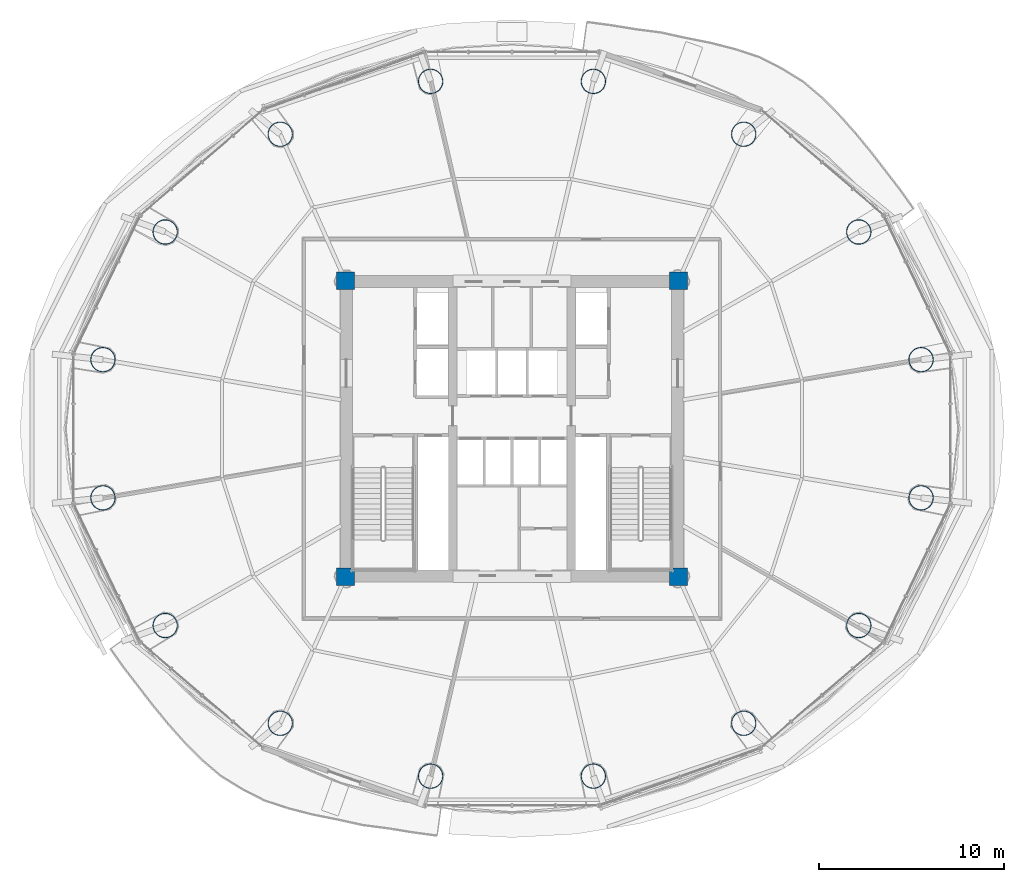
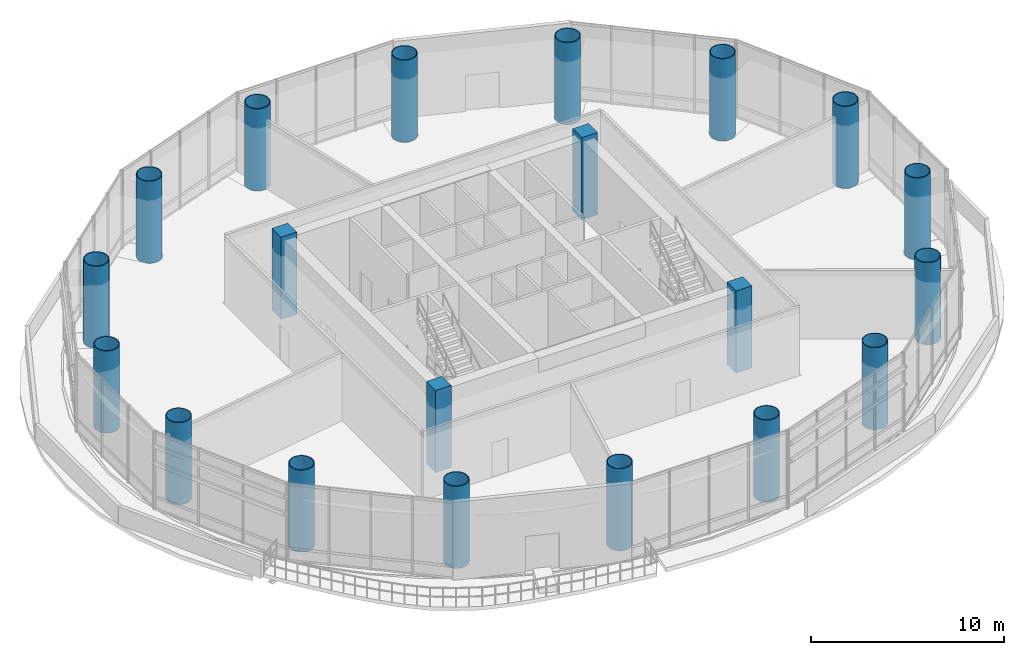
# One storey, part 1 of 29: 20 columns.
"""IFC4 building model written with IfcOpenShell, lengths in metres."""

from ifc_helpers import new_model, si_unit, direction, frame, origin, origin_2d, place, context, subcontext, project, spatial, rectangle, hollow_circle, extrude, material, material_profile, profile_set, type_object, element, save


model = new_model("IFC4")

# Units and contexts
model_context = context("Model", 3, precision=1e-05, world=origin(), true_north=direction((-0.2419218956, 0.970295726276)))
body_context = subcontext(model_context, "Body", "Model", "MODEL_VIEW")
ifc_project = project(units=[si_unit("LENGTHUNIT", "METRE"), si_unit("AREAUNIT", "SQUARE_METRE"), si_unit("VOLUMEUNIT", "CUBIC_METRE"), si_unit("PLANEANGLEUNIT", "RADIAN"), si_unit("MASSUNIT", "GRAM", prefix="KILO")], contexts=[model_context])

# Site, building, storey
site_placement = place(None, origin())
site = spatial("IfcSite", under=ifc_project, at=site_placement, CompositionType="ELEMENT")
building_placement = place(site_placement, origin())
building = spatial("IfcBuilding", under=site, at=building_placement, Name="Cobrevalo Terracotta Tower", CompositionType="ELEMENT")
storey_placement = place(building_placement, frame((0.0, 0.0, 130.199951171875)))
storey = spatial("IfcBuildingStorey", under=building, at=storey_placement, Name="L34", CompositionType="ELEMENT", Elevation=130.199951171875)

# Columns
ifc_material_1 = material(Name="Steel S355", Category="steel")
ifc_material_profile_1 = material_profile(ifc_material_1, hollow_circle(Radius=0.675048828125, WallThickness=0.0419921875, at=origin_2d()), Name="CHS 1350x42")
ifc_profile_set_1 = profile_set([ifc_material_profile_1], Name="Steel S355")
column_type_1 = type_object("IfcColumnType", Name="Structural Column CHS 1350x42 (Steel S355)", PredefinedType="COLUMN", material=ifc_profile_set_1)
for number, where, z_axis, x_axis, name in (
    (1, (60.11669921875, 30.535888671875, 0.0), (0.0, 0.0, 1.0), (1.0, 0.0, 0.0), "L34 composite megacolumn MC01"),
    (2, (56.749755859375, 37.439208984375, 0.0), (0.0, 0.0, 1.0), (1.0, 0.0, 0.0), "L34 composite megacolumn MC02"),
    (3, (50.528076171875, 42.72265625, 0.0), (0.0, 0.0, 1.0), (1.0, 0.0, 0.0), "L34 composite megacolumn MC03"),
    (4, (42.399169921875, 45.58203125, 0.0), (0.0, 0.0, 1.0), (1.0, 0.0, 0.0), "L34 composite megacolumn MC04"),
    (5, (33.600830078125, 45.58203125, 0.0), (0.0, 0.0, 1.0), (1.0, 0.0, 0.0), "L34 composite megacolumn MC05"),
    (6, (25.471923828125, 42.72265625, 0.0), (0.0, 0.0, 1.0), (1.0, 0.0, 0.0), "L34 composite megacolumn MC06"),
    (7, (19.250244140625, 37.439208984375, 0.0), (0.0, 0.0, 1.0), (1.0, 0.0, 0.0), "L34 composite megacolumn MC07"),
    (8, (15.88330078125, 30.535888671875, 0.0), (0.0, 0.0, 1.0), (1.0, 0.0, 0.0), "L34 composite megacolumn MC08"),
    (9, (15.88330078125, 23.06396484375, 0.0), (0.0, 0.0, 1.0), (1.0, 0.0, 0.0), "L34 composite megacolumn MC09"),
    (10, (19.250244140625, 16.160888671875, 0.0), (0.0, 0.0, 1.0), (1.0, 0.0, 0.0), "L34 composite megacolumn MC10"),
    (11, (25.471923828125, 10.87744140625, 0.0), (0.0, 0.0, 1.0), (1.0, 0.0, 0.0), "L34 composite megacolumn MC11"),
    (12, (33.600830078125, 8.01806640625, 0.0), (0.0, 0.0, 1.0), (1.0, 0.0, 0.0), "L34 composite megacolumn MC12"),
    (13, (42.399169921875, 8.01806640625, 0.0), (0.0, 0.0, 1.0), (1.0, 0.0, 0.0), "L34 composite megacolumn MC13"),
    (14, (50.528076171875, 10.87744140625, 0.0), (0.0, 0.0, 1.0), (1.0, 0.0, 0.0), "L34 composite megacolumn MC14"),
    (15, (56.749755859375, 16.160888671875, 0.0), (0.0, 0.0, 1.0), (1.0, 0.0, 0.0), "L34 composite megacolumn MC15"),
    (16, (60.11669921875, 23.06396484375, 0.0), (0.0, 0.0, 1.0), (1.0, 0.0, 0.0), "L34 composite megacolumn MC16"),
):
    element("IfcColumn", number, at=place(storey_placement, frame(where, z_axis=z_axis, x_axis=x_axis)), inside=storey, type_object=column_type_1, Name=name, PredefinedType="COLUMN", context=body_context, shape_type="SweptSolid", body=[
        extrude(hollow_circle(Radius=0.675048828125, WallThickness=0.0419921875, at=origin_2d()), origin(), (0.0, 0.0, 1.0), 5.199951171875),
    ])
ifc_material_2 = material(Name="Concrete C55", Category="concrete")
ifc_material_profile_2 = material_profile(ifc_material_2, rectangle(XDim=0.949951171875, YDim=0.949951171875, at=origin_2d()), Name="RC COL 950x950")
ifc_profile_set_2 = profile_set([ifc_material_profile_2], Name="Concrete C55")
column_type_2 = type_object("IfcColumnType", Name="Structural Column RC COL 950x950 (Concrete C55)", PredefinedType="COLUMN", material=ifc_profile_set_2)
for number, where, z_axis, x_axis, name in (
    (17, (29.0, 18.800048828125, 0.0), (0.0, 0.0, 1.0), (1.0, 0.0, 0.0), "L34 core corner column CC1"),
    (18, (47.0, 18.800048828125, 0.0), (0.0, 0.0, 1.0), (1.0, 0.0, 0.0), "L34 core corner column CC2"),
    (19, (47.0, 34.800048828125, 0.0), (0.0, 0.0, 1.0), (1.0, 0.0, 0.0), "L34 core corner column CC3"),
    (20, (29.0, 34.800048828125, 0.0), (0.0, 0.0, 1.0), (1.0, 0.0, 0.0), "L34 core corner column CC4"),
):
    element("IfcColumn", number, at=place(storey_placement, frame(where, z_axis=z_axis, x_axis=x_axis)), inside=storey, type_object=column_type_2, Name=name, PredefinedType="COLUMN", context=body_context, shape_type="SweptSolid", body=[
        extrude(rectangle(XDim=0.949951171875, YDim=0.949951171875, at=origin_2d()), origin(), (0.0, 0.0, 1.0), 5.199951171875),
    ])

save(model, "model.ifc")
